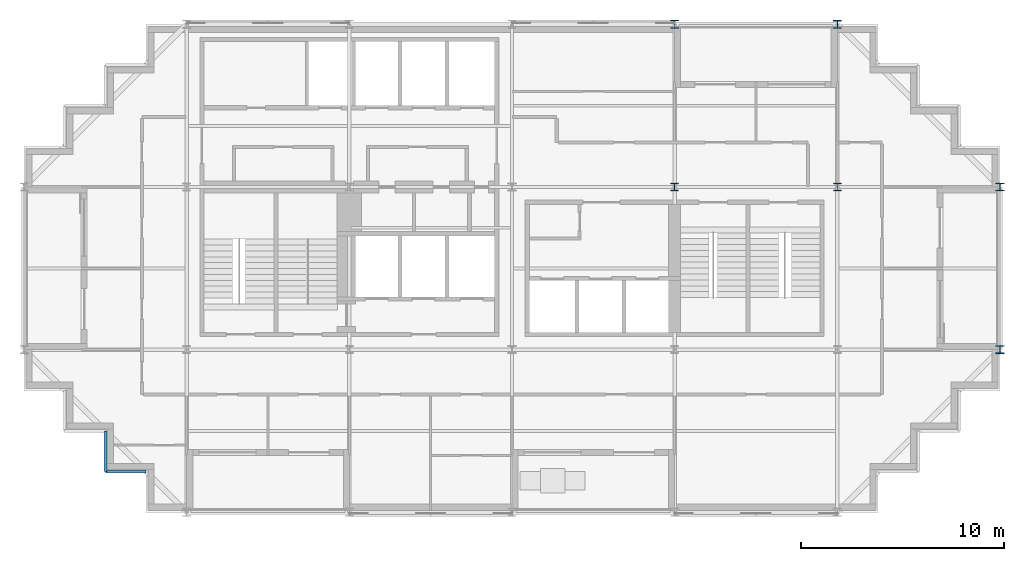
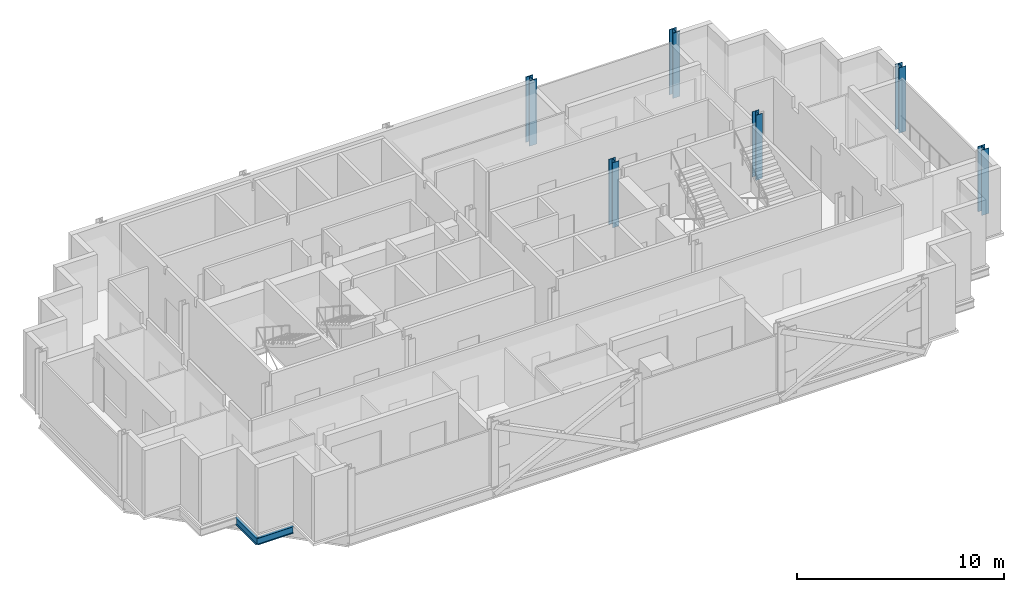
# One storey, part 2 of 10: 6 columns, 2 beams.
"""IFC4 building model written with IfcOpenShell, lengths in metres."""

from ifc_helpers import new_model, si_unit, direction, frame, origin, origin_2d, place, context, subcontext, project, spatial, i_section, extrude, material, material_profile, profile_set, type_object, element, save


model = new_model("IFC4")

# Units and contexts
model_context = context("Model", 3, precision=1e-05, world=origin(), true_north=direction((0.0, 1.0)))
body_context = subcontext(model_context, "Body", "Model", "MODEL_VIEW")
ifc_project = project(units=[si_unit("LENGTHUNIT", "METRE"), si_unit("AREAUNIT", "SQUARE_METRE"), si_unit("VOLUMEUNIT", "CUBIC_METRE"), si_unit("PLANEANGLEUNIT", "RADIAN"), si_unit("MASSUNIT", "GRAM", prefix="KILO")], contexts=[model_context])

# Site, building, storey
site_placement = place(None, origin())
site = spatial("IfcSite", under=ifc_project, at=site_placement, CompositionType="ELEMENT")
building_placement = place(site_placement, origin())
building = spatial("IfcBuilding", under=site, at=building_placement, Name="Immortelle Media Tower", CompositionType="ELEMENT")
storey_placement = place(building_placement, frame((0.0, 0.0, 233.0)))
storey = spatial("IfcBuildingStorey", under=building, at=storey_placement, Name="L50", CompositionType="ELEMENT", Elevation=233.0)

# Columns
ifc_material = material(Name="Steel ASTM A992 Gr 50", Category="steel")
ifc_material_profile_1 = material_profile(ifc_material, i_section(OverallWidth=0.373046875, OverallDepth=0.367919921875, WebThickness=0.014892578125, FlangeThickness=0.02392578125, at=origin_2d()), Name="W14x120")
ifc_profile_set_1 = profile_set([ifc_material_profile_1], Name="Steel ASTM A992 Gr 50")
column_type_1 = type_object("IfcColumnType", Name="W14x120 column", PredefinedType="COLUMN", material=ifc_profile_set_1)
for number, where, z_axis, x_axis, name in (
    (1, (32.0, 16.0, 0.0), (0.0, 0.0, 1.0), (1.0, 0.0, 0.0), "Column 5/C"),
    (2, (40.0, 16.0, 0.0), (0.0, 0.0, 1.0), (1.0, 0.0, 0.0), "Column 6/C"),
):
    element("IfcColumn", number, at=place(storey_placement, frame(where, z_axis=z_axis, x_axis=x_axis)), inside=storey, type_object=column_type_1, Name=name, PredefinedType="COLUMN", context=body_context, shape_type="SweptSolid", body=[
        extrude(i_section(OverallWidth=0.373046875, OverallDepth=0.367919921875, WebThickness=0.014892578125, FlangeThickness=0.02392578125, at=origin_2d()), origin(), (0.0, 0.0, 1.0), 3.85009765625),
    ])
ifc_material_profile_2 = material_profile(ifc_material, i_section(OverallWidth=0.39892578125, OverallDepth=0.385986328125, WebThickness=0.02099609375, FlangeThickness=0.032958984375, at=origin_2d()), Name="W14x176")
ifc_profile_set_2 = profile_set([ifc_material_profile_2], Name="Steel ASTM A992 Gr 50")
column_type_2 = type_object("IfcColumnType", Name="W14x176 column", PredefinedType="COLUMN", material=ifc_profile_set_2)
for number, where, z_axis, x_axis, name in (
    (3, (40.0, 24.0, 0.0), (0.0, 0.0, 1.0), (1.0, 0.0, 0.0), "Column 6/D"),
    (4, (48.0, 8.0, 0.0), (0.0, 0.0, 1.0), (1.0, 0.0, 0.0), "Column 7/B"),
    (5, (48.0, 16.0, 0.0), (0.0, 0.0, 1.0), (1.0, 0.0, 0.0), "Column 7/C"),
):
    element("IfcColumn", number, at=place(storey_placement, frame(where, z_axis=z_axis, x_axis=x_axis)), inside=storey, type_object=column_type_2, Name=name, PredefinedType="COLUMN", context=body_context, shape_type="SweptSolid", body=[
        extrude(i_section(OverallWidth=0.39892578125, OverallDepth=0.385986328125, WebThickness=0.02099609375, FlangeThickness=0.032958984375, at=origin_2d()), origin(), (0.0, 0.0, 1.0), 3.85009765625),
    ])
ifc_material_profile_3 = material_profile(ifc_material, i_section(OverallWidth=0.406005859375, OverallDepth=0.4169921875, WebThickness=0.030029296875, FlangeThickness=0.048095703125, at=origin_2d()), Name="W14x257")
ifc_profile_set_3 = profile_set([ifc_material_profile_3], Name="Steel ASTM A992 Gr 50")
column_type_3 = type_object("IfcColumnType", Name="W14x257 column", PredefinedType="COLUMN", material=ifc_profile_set_3)
column_placement = place(storey_placement, frame((32.0, 24.0, 0.0), z_axis=(0.0, 0.0, 1.0), x_axis=(1.0, 0.0, 0.0)))
element("IfcColumn", 6, at=column_placement, inside=storey, type_object=column_type_3, Name="Column 5/D", PredefinedType="COLUMN", context=body_context, shape_type="SweptSolid", body=[
    extrude(i_section(OverallWidth=0.406005859375, OverallDepth=0.4169921875, WebThickness=0.030029296875, FlangeThickness=0.048095703125, at=origin_2d()), origin(), (0.0, 0.0, 1.0), 3.85009765625),
])

# Beams
ifc_material_profile_4 = material_profile(ifc_material, i_section(OverallWidth=0.139892578125, OverallDepth=0.404052734375, WebThickness=0.007080078125, FlangeThickness=0.010986328125, at=origin_2d()), Name="W16x31")
ifc_profile_set_4 = profile_set([ifc_material_profile_4], Name="Steel ASTM A992 Gr 50")
beam_type = type_object("IfcBeamType", Name="W16x31 serration edge beam", PredefinedType="SPANDREL", material=ifc_profile_set_4)
for number, where, z_axis, x_axis, name in (
    (7, (6.0, 2.0, -0.35205078125), (-1.0, 0.0, 0.0), (0.0, -1.0, 0.0), "Corner edge beam 1 at 1/A"),
    (8, (4.0, 2.0, -0.35205078125), (0.0, 1.0, 0.0), (-1.0, 0.0, 0.0), "Corner edge beam 2 at 1/A"),
):
    element("IfcBeam", number, at=place(storey_placement, frame(where, z_axis=z_axis, x_axis=x_axis)), inside=storey, type_object=beam_type, Name=name, PredefinedType="SPANDREL", context=body_context, shape_type="SweptSolid", body=[
        extrude(i_section(OverallWidth=0.139892578125, OverallDepth=0.404052734375, WebThickness=0.007080078125, FlangeThickness=0.010986328125, at=origin_2d()), origin(), (0.0, 0.0, 1.0), 2.0),
    ])

save(model, "model.ifc")
